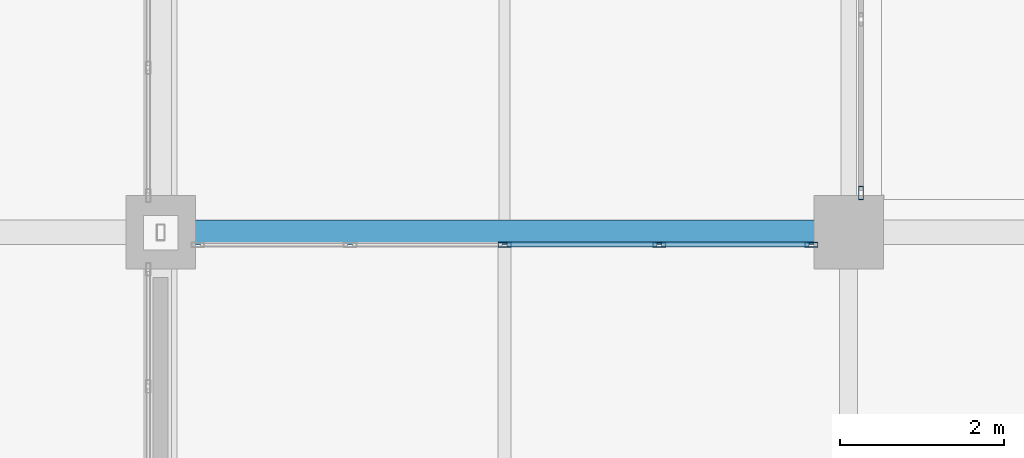
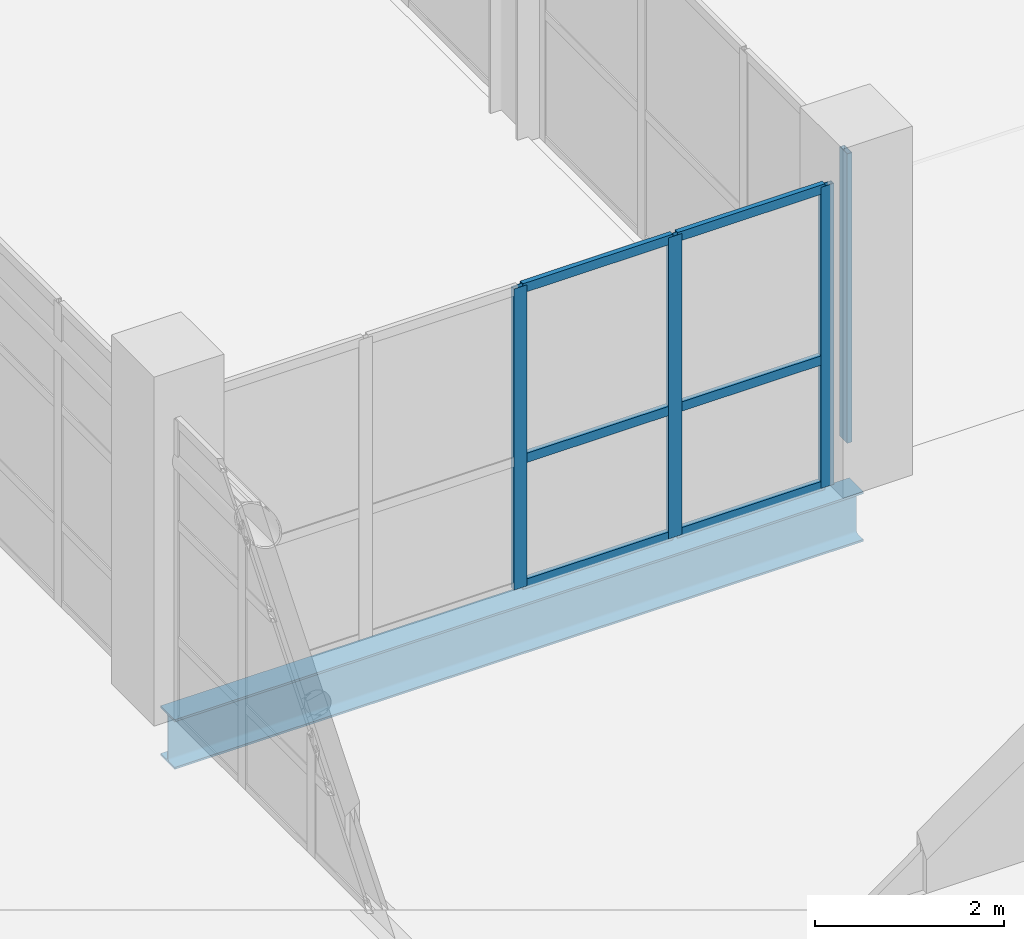
# One storey, part 30 of 130: 10 members, 1 beam, 2 elements without a shape of their own.
"""IFC4 building model written with IfcOpenShell, lengths in metres."""

from ifc_helpers import new_model, si_unit, direction, frame, origin, origin_2d, place, context, subcontext, project, spatial, hollow_rectangle, i_section, extrude, material, material_profile, profile_set, type_object, element, aggregate, save


model = new_model("IFC4")

# Units and contexts
model_context = context("Model", 3, precision=1e-05, world=origin(), true_north=direction((0.0, 1.0)))
body_context = subcontext(model_context, "Body", "Model", "MODEL_VIEW")
ifc_project = project(units=[si_unit("LENGTHUNIT", "METRE"), si_unit("AREAUNIT", "SQUARE_METRE"), si_unit("VOLUMEUNIT", "CUBIC_METRE"), si_unit("PLANEANGLEUNIT", "RADIAN"), si_unit("MASSUNIT", "GRAM", prefix="KILO")], contexts=[model_context])

# Site, building, storey
site_placement = place(None, origin())
site = spatial("IfcSite", under=ifc_project, at=site_placement, CompositionType="ELEMENT")
building_placement = place(site_placement, origin())
building = spatial("IfcBuilding", under=site, at=building_placement, Name="Veltarok Museum of Natural Sciences", CompositionType="ELEMENT")
storey_placement = place(building_placement, frame((0.0, 0.0, 12.89990234375)))
storey = spatial("IfcBuildingStorey", under=building, at=storey_placement, Name="L02", CompositionType="ELEMENT", Elevation=12.89990234375)

# Curtain wall, members
ifc_material_1 = material(Name="Low-iron triple insulated glass", Category="glass")
curtain_wall_type_1 = type_object("IfcCurtainWallType", Name="Curtain Wall System CW-V1CNW-L02-0-755x388 (CW-V1CNW L02 755x388cm)", PredefinedType="NOTDEFINED", material=ifc_material_1)
curtain_wall_1_placement = place(storey_placement, origin())
curtain_wall_1 = element("IfcCurtainWall", 1, at=curtain_wall_1_placement, inside=storey, type_object=curtain_wall_type_1, Name="Curtain Wall CW-V1CNW-L02-0-755x388 CW-0160", PredefinedType="NOTDEFINED")
ifc_material_2 = material(Name="Thermally broken anodised aluminium", Category="aluminium")
ifc_material_profile_1 = material_profile(ifc_material_2, hollow_rectangle(XDim=0.06005859375, YDim=0.1201171875, WallThickness=0.0048828125, at=origin_2d()), Name="CW TRANSOM 60x120x5")
ifc_profile_set_1 = profile_set([ifc_material_profile_1], Name="Thermally broken anodised aluminium")
member_type_1 = type_object("IfcMemberType", Name="Curtain Wall Horizontal Transom 60x120x5", PredefinedType="USERDEFINED", material=ifc_profile_set_1)
member_1_placement = place(storey_placement, frame((39.514892578125, 19.050048828125, 0.028076171875), z_axis=(-1.0, 0.0, 0.0), x_axis=(0.0, -1.0, 0.0)))
member_1 = element("IfcMember", 2, at=member_1_placement, type_object=member_type_1, Name="CW-V1CNW-L02-0-755x388 transom 1.1", ObjectType="TRANSOM", PredefinedType="USERDEFINED", context=body_context, shape_type="SweptSolid", body=[
    extrude(hollow_rectangle(XDim=0.06005859375, YDim=0.1201171875, WallThickness=0.0048828125, at=origin_2d()), origin(), (0.0, 0.0, 1.0), 1.79736328125),
])
member_2_placement = place(storey_placement, frame((39.514892578125, 19.050048828125, 1.648193359375), z_axis=(-1.0, 0.0, 0.0), x_axis=(0.0, -1.0, 0.0)))
member_2 = element("IfcMember", 3, at=member_2_placement, type_object=member_type_1, Name="CW-V1CNW-L02-0-755x388 transom 1.2", ObjectType="TRANSOM", PredefinedType="USERDEFINED", context=body_context, shape_type="SweptSolid", body=[
    extrude(hollow_rectangle(XDim=0.06005859375, YDim=0.1201171875, WallThickness=0.0048828125, at=origin_2d()), origin(), (0.0, 0.0, 1.0), 1.79736328125),
])
member_3_placement = place(storey_placement, frame((39.514892578125, 19.050048828125, 3.85009765625), z_axis=(-1.0, 0.0, 0.0), x_axis=(0.0, -1.0, 0.0)))
member_3 = element("IfcMember", 4, at=member_3_placement, type_object=member_type_1, Name="CW-V1CNW-L02-0-755x388 transom 1.3", ObjectType="TRANSOM", PredefinedType="USERDEFINED", context=body_context, shape_type="SweptSolid", body=[
    extrude(hollow_rectangle(XDim=0.06005859375, YDim=0.1201171875, WallThickness=0.0048828125, at=origin_2d()), origin(), (0.0, 0.0, 1.0), 1.79736328125),
])
member_4_placement = place(storey_placement, frame((37.657470703125, 19.050048828125, 0.028076171875), z_axis=(-1.0, 0.0, 0.0), x_axis=(0.0, -1.0, 0.0)))
member_4 = element("IfcMember", 5, at=member_4_placement, type_object=member_type_1, Name="CW-V1CNW-L02-0-755x388 transom 2.1", ObjectType="TRANSOM", PredefinedType="USERDEFINED", context=body_context, shape_type="SweptSolid", body=[
    extrude(hollow_rectangle(XDim=0.06005859375, YDim=0.1201171875, WallThickness=0.0048828125, at=origin_2d()), origin(), (0.0, 0.0, 1.0), 1.827392578125),
])
member_5_placement = place(storey_placement, frame((37.657470703125, 19.050048828125, 1.648193359375), z_axis=(-1.0, 0.0, 0.0), x_axis=(0.0, -1.0, 0.0)))
member_5 = element("IfcMember", 6, at=member_5_placement, type_object=member_type_1, Name="CW-V1CNW-L02-0-755x388 transom 2.2", ObjectType="TRANSOM", PredefinedType="USERDEFINED", context=body_context, shape_type="SweptSolid", body=[
    extrude(hollow_rectangle(XDim=0.06005859375, YDim=0.1201171875, WallThickness=0.0048828125, at=origin_2d()), origin(), (0.0, 0.0, 1.0), 1.827392578125),
])
member_6_placement = place(storey_placement, frame((37.657470703125, 19.050048828125, 3.85009765625), z_axis=(-1.0, 0.0, 0.0), x_axis=(0.0, -1.0, 0.0)))
member_6 = element("IfcMember", 7, at=member_6_placement, type_object=member_type_1, Name="CW-V1CNW-L02-0-755x388 transom 2.3", ObjectType="TRANSOM", PredefinedType="USERDEFINED", context=body_context, shape_type="SweptSolid", body=[
    extrude(hollow_rectangle(XDim=0.06005859375, YDim=0.1201171875, WallThickness=0.0048828125, at=origin_2d()), origin(), (0.0, 0.0, 1.0), 1.827392578125),
])

# Curtain wall, member
curtain_wall_type_2 = type_object("IfcCurtainWallType", Name="Curtain Wall System CW-V2W-L02-3-645x373 (CW-V2W L02 645x373cm)", PredefinedType="NOTDEFINED", material=ifc_material_1)
curtain_wall_2_placement = place(storey_placement, origin())
curtain_wall_2 = element("IfcCurtainWall", 8, at=curtain_wall_2_placement, inside=storey, type_object=curtain_wall_type_2, Name="Curtain Wall CW-V2W-L02-3-645x373 CW-0139", PredefinedType="NOTDEFINED")
ifc_material_profile_2 = material_profile(ifc_material_2, hollow_rectangle(XDim=0.06005859375, YDim=0.159912109375, WallThickness=0.0048828125, at=origin_2d()), Name="CW MULLION 60x160x5")
ifc_profile_set_2 = profile_set([ifc_material_profile_2], Name="Thermally broken anodised aluminium")
member_type_2 = type_object("IfcMemberType", Name="Curtain Wall Vertical Mullion 60x160x5", PredefinedType="MULLION", material=ifc_profile_set_2)
member_7_placement = place(storey_placement, frame((40.14990234375, 19.679931640625, -0.001953125), z_axis=(0.0, 0.0, 1.0), x_axis=(-1.0, 0.0, 0.0)))
member_7 = element("IfcMember", 9, at=member_7_placement, type_object=member_type_2, Name="CW-V2W-L02-3-645x373 mullion 1", PredefinedType="MULLION", context=body_context, shape_type="SweptSolid", body=[
    extrude(hollow_rectangle(XDim=0.06005859375, YDim=0.159912109375, WallThickness=0.0048828125, at=origin_2d()), origin(), (0.0, 0.0, 1.0), 3.73193359375),
])
aggregate(curtain_wall_2, [member_7])

# Member
member_8_placement = place(storey_placement, frame((39.544921875, 19.050048828125, -0.001953125), z_axis=(0.0, 0.0, 1.0), x_axis=(0.0, -1.0, 0.0)))
member_8 = element("IfcMember", 10, at=member_8_placement, type_object=member_type_2, Name="CW-V1CNW-L02-0-755x388 mullion 1", PredefinedType="MULLION", context=body_context, shape_type="SweptSolid", body=[
    extrude(hollow_rectangle(XDim=0.06005859375, YDim=0.159912109375, WallThickness=0.0048828125, at=origin_2d()), origin(), (0.0, 0.0, 1.0), 3.882080078125),
])

member_9_placement = place(storey_placement, frame((37.6875, 19.050048828125, -0.001953125), z_axis=(0.0, 0.0, 1.0), x_axis=(0.0, -1.0, 0.0)))
member_9 = element("IfcMember", 11, at=member_9_placement, type_object=member_type_2, Name="CW-V1CNW-L02-0-755x388 mullion 2", PredefinedType="MULLION", context=body_context, shape_type="SweptSolid", body=[
    extrude(hollow_rectangle(XDim=0.06005859375, YDim=0.159912109375, WallThickness=0.0048828125, at=origin_2d()), origin(), (0.0, 0.0, 1.0), 3.882080078125),
])

member_10_placement = place(storey_placement, frame((35.800048828125, 19.050048828125, -0.001953125), z_axis=(0.0, 0.0, 1.0), x_axis=(0.0, -1.0, 0.0)))
member_10 = element("IfcMember", 12, at=member_10_placement, type_object=member_type_2, Name="CW-V1CNW-L02-0-755x388 mullion 3", PredefinedType="MULLION", context=body_context, shape_type="SweptSolid", body=[
    extrude(hollow_rectangle(XDim=0.06005859375, YDim=0.159912109375, WallThickness=0.0048828125, at=origin_2d()), origin(), (0.0, 0.0, 1.0), 3.882080078125),
])

aggregate(curtain_wall_1, [member_8, member_9, member_10, member_1, member_2, member_3, member_4, member_5, member_6])

# Beam
ifc_material_3 = material(Name="Steel S355J2", Category="steel")
ifc_material_profile_3 = material_profile(ifc_material_3, i_section(OverallWidth=0.300048828125, OverallDepth=0.639892578125, WebThickness=0.013427734375, FlangeThickness=0.02587890625, FilletRadius=0.027099609375, at=origin_2d()), Name="HEA 650")
ifc_profile_set_3 = profile_set([ifc_material_profile_3], Name="Steel S355J2")
beam_type = type_object("IfcBeamType", Name="Heavy Exhibition Girder HEA 650", PredefinedType="BEAM", material=ifc_profile_set_3)
beam_placement = place(storey_placement, frame((31.60009765625, 19.199951171875, -0.56982421875), z_axis=(1.0, 0.0, 0.0), x_axis=(0.0, 1.0, 0.0)))
element("IfcBeam", 13, at=beam_placement, inside=storey, type_object=beam_type, Name="Beam BM-G08 L02 4-5/C", PredefinedType="BEAM", context=body_context, shape_type="SweptSolid", body=[
    extrude(i_section(OverallWidth=0.300048828125, OverallDepth=0.639892578125, WebThickness=0.013427734375, FlangeThickness=0.02587890625, FilletRadius=0.027099609375, at=origin_2d()), origin(), (0.0, 0.0, 1.0), 8.39990234375),
])

save(model, "model.ifc")
